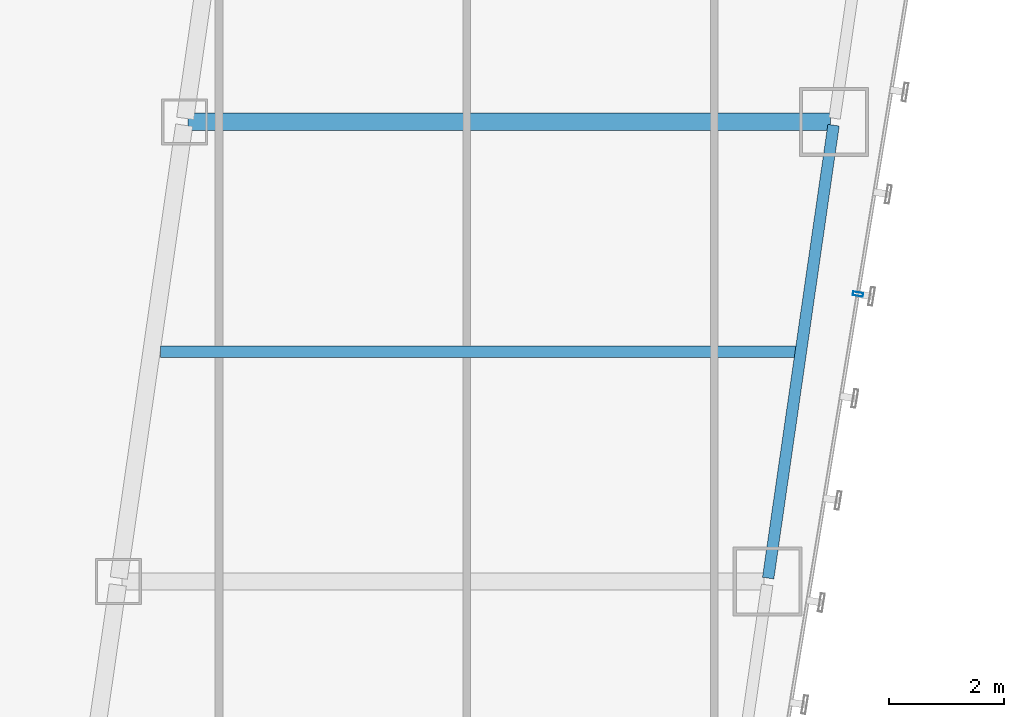
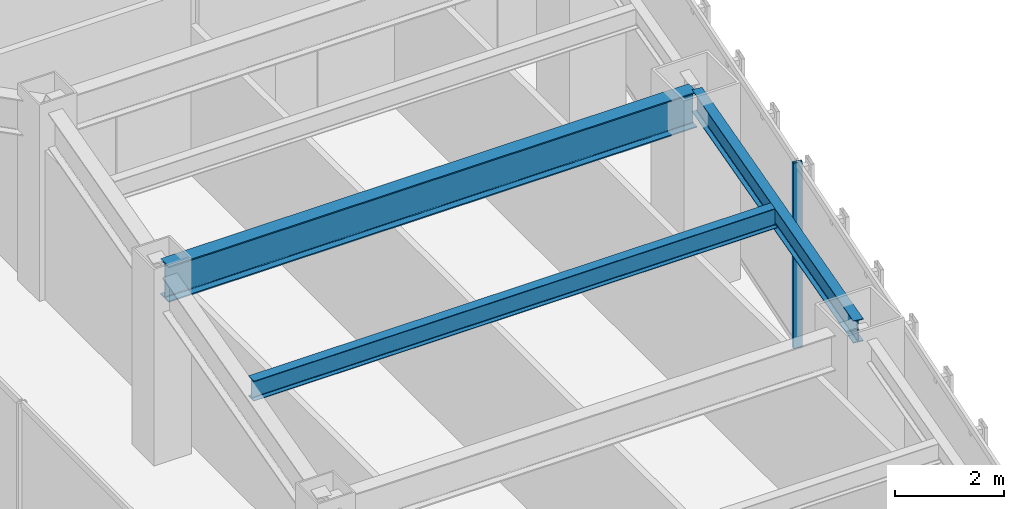
# One storey, part 21 of 47: 3 beams, 1 member, 1 element without a shape of its own.
"""IFC4 building model written with IfcOpenShell, lengths in metres."""

from ifc_helpers import new_model, si_unit, direction, frame, origin, origin_2d, place, context, subcontext, project, spatial, hollow_rectangle, i_section, extrude, material, material_profile, profile_set, type_object, element, aggregate, save


model = new_model("IFC4")

# Units and contexts
model_context = context("Model", 3, precision=1e-05, world=origin(), true_north=direction((0.0, 1.0)))
body_context = subcontext(model_context, "Body", "Model", "MODEL_VIEW")
ifc_project = project(units=[si_unit("LENGTHUNIT", "METRE"), si_unit("AREAUNIT", "SQUARE_METRE"), si_unit("VOLUMEUNIT", "CUBIC_METRE"), si_unit("PLANEANGLEUNIT", "RADIAN"), si_unit("MASSUNIT", "GRAM", prefix="KILO")], contexts=[model_context])

# Site, building, storey
site_placement = place(None, origin())
site = spatial("IfcSite", under=ifc_project, at=site_placement, CompositionType="ELEMENT")
building_placement = place(site_placement, origin())
building = spatial("IfcBuilding", under=site, at=building_placement, Name="Saevonmaru Cultural Tower", CompositionType="ELEMENT")
storey_placement = place(building_placement, frame((0.0, 0.0, 60.39990234375)))
storey = spatial("IfcBuildingStorey", under=building, at=storey_placement, Name="L12", CompositionType="ELEMENT", Elevation=60.39990234375)

# Beams
ifc_material_1 = material(Name="Steel SM420", Category="steel")
ifc_material_profile_1 = material_profile(ifc_material_1, i_section(OverallWidth=0.300048828125, OverallDepth=0.800048828125, WebThickness=0.013916015625, FlangeThickness=0.02587890625, FilletRadius=0.028076171875, at=origin_2d()), Name="H-800x300x14x26")
ifc_profile_set_1 = profile_set([ifc_material_profile_1], Name="Steel SM420")
beam_type_1 = type_object("IfcBeamType", Name="BM-G-H800", PredefinedType="BEAM", material=ifc_profile_set_1)
beam_1_placement = place(storey_placement, frame((40.443115234375, 32.0, 3.75), z_axis=(1.0, 0.0, 0.0), x_axis=(0.0, 1.0, 0.0)))
element("IfcBeam", 1, at=beam_1_placement, inside=storey, type_object=beam_type_1, Name="L12 East Wing Transverse Girder 5", PredefinedType="BEAM", context=body_context, shape_type="SweptSolid", body=[
    extrude(i_section(OverallWidth=0.300048828125, OverallDepth=0.800048828125, WebThickness=0.013916015625, FlangeThickness=0.02587890625, FilletRadius=0.028076171875, at=origin_2d()), origin(), (0.0, 0.0, 1.0), 11.179931640625),
])
ifc_material_2 = material(Name="Steel SM355", Category="steel")
ifc_material_profile_2 = material_profile(ifc_material_2, i_section(OverallWidth=0.199951171875, OverallDepth=0.449951171875, WebThickness=0.009033203125, FlangeThickness=0.013916015625, FilletRadius=0.01806640625, at=origin_2d()), Name="H-450x200x9x14")
ifc_profile_set_2 = profile_set([ifc_material_profile_2], Name="Steel SM355")
beam_type_2 = type_object("IfcBeamType", Name="BM-J-H450", PredefinedType="JOIST", material=ifc_profile_set_2)
beam_2_placement = place(storey_placement, frame((39.96337890625, 28.0, 3.925048828125), z_axis=(1.0, 0.0, 0.0), x_axis=(0.0, 1.0, 0.0)))
element("IfcBeam", 2, at=beam_2_placement, inside=storey, type_object=beam_type_2, Name="L12 East Wing Floor Joist 4", PredefinedType="JOIST", context=body_context, shape_type="SweptSolid", body=[
    extrude(i_section(OverallWidth=0.199951171875, OverallDepth=0.449951171875, WebThickness=0.009033203125, FlangeThickness=0.013916015625, FilletRadius=0.01806640625, at=origin_2d()), origin(), (0.0, 0.0, 1.0), 11.08203125),
])
ifc_material_profile_3 = material_profile(ifc_material_2, i_section(OverallWidth=0.199951171875, OverallDepth=0.5, WebThickness=0.010009765625, FlangeThickness=0.01611328125, FilletRadius=0.02001953125, at=origin_2d()), Name="H-500x200x10x16")
ifc_profile_set_3 = profile_set([ifc_material_profile_3], Name="Steel SM355")
beam_type_3 = type_object("IfcBeamType", Name="BM-SP-H500", PredefinedType="SPANDREL", material=ifc_profile_set_3)
beam_3_placement = place(storey_placement, frame((50.53662109375, 24.059326171875, 3.900146484375), z_axis=(0.142871999001, 0.989741174197, 0.0), x_axis=(-0.989741174197, 0.142871999001, 0.0)))
element("IfcBeam", 3, at=beam_3_placement, inside=storey, type_object=beam_type_3, Name="L12 East Splayed Spandrel 4", PredefinedType="SPANDREL", context=body_context, shape_type="SweptSolid", body=[
    extrude(i_section(OverallWidth=0.199951171875, OverallDepth=0.5, WebThickness=0.010009765625, FlangeThickness=0.01611328125, FilletRadius=0.02001953125, at=origin_2d()), origin(), (0.0, 0.0, 1.0), 7.963134765625),
])

# Curtain wall, member
ifc_material_3 = material(Name="Satin Bronze Anodised Aluminium", Category="aluminium")
curtain_wall_type = type_object("IfcCurtainWallType", Name="CW-TYP-A", PredefinedType="NOTDEFINED", material=ifc_material_3)
curtain_wall_placement = place(storey_placement, origin())
curtain_wall = element("IfcCurtainWall", 4, at=curtain_wall_placement, inside=storey, type_object=curtain_wall_type, Name="L12 Unitised Curtain Wall E8", PredefinedType="NOTDEFINED")
ifc_material_profile_4 = material_profile(ifc_material_3, hollow_rectangle(XDim=0.06494140625, YDim=0.179931640625, WallThickness=0.00390625, at=origin_2d()), Name="ALU-MULL-180x65x4")
ifc_profile_set_4 = profile_set([ifc_material_profile_4], Name="Satin Bronze Anodised Aluminium")
member_type = type_object("IfcMemberType", Name="ML-CW-180x65", PredefinedType="MULLION", material=ifc_profile_set_4)
member_placement = place(storey_placement, frame((52.10009765625, 29.0, 0.0), z_axis=(0.0, 0.0, 1.0), x_axis=(0.161708868641, 0.986838508472, 0.0)))
member = element("IfcMember", 5, at=member_placement, type_object=member_type, Name="CW-TW-L12-E8 mullion 3", PredefinedType="MULLION", context=body_context, shape_type="SweptSolid", body=[
    extrude(hollow_rectangle(XDim=0.06494140625, YDim=0.179931640625, WallThickness=0.00390625, at=origin_2d()), origin(), (0.0, 0.0, 1.0), 4.150146484375),
])
aggregate(curtain_wall, [member])

save(model, "model.ifc")
